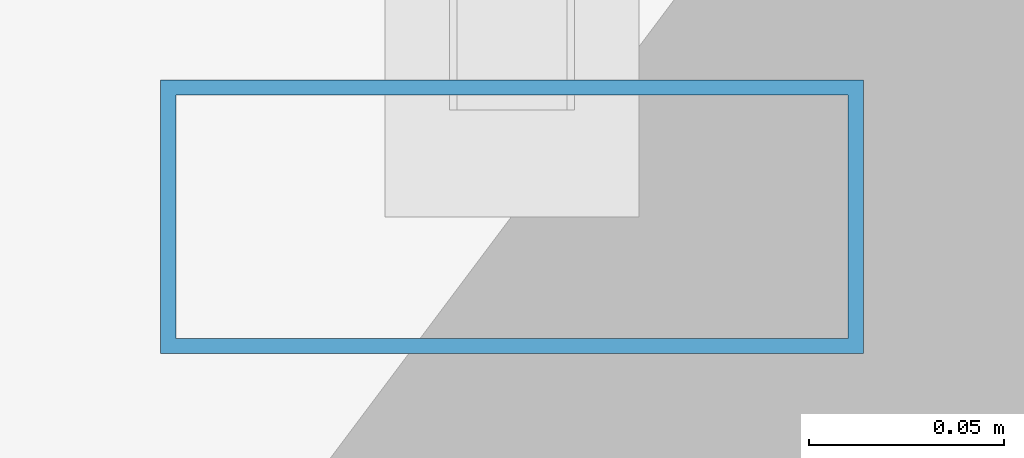
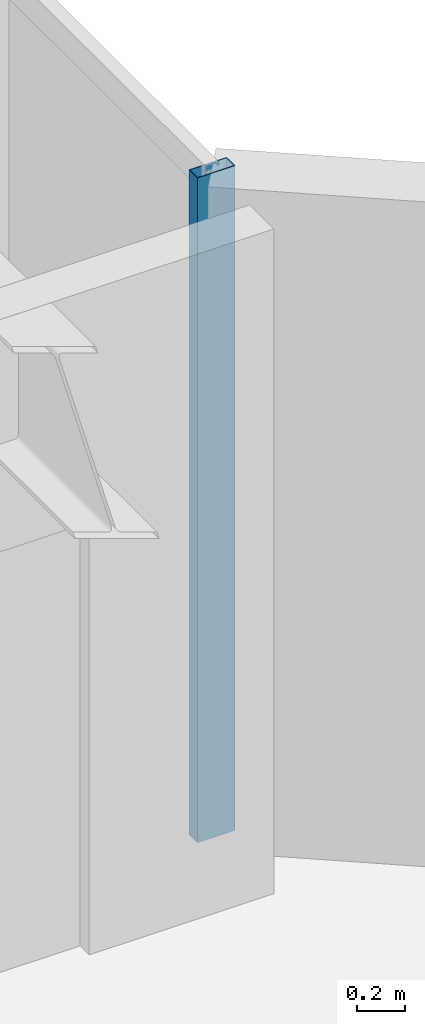
# One storey, part 15 of 26: 1 member, 1 element without a shape of its own.
"""IFC4 building model written with IfcOpenShell, lengths in metres."""

import ifcopenshell
import ifcopenshell.guid

model = None  # the IFC model being written
_history = None  # IfcOwnerHistory: only IFC2X3 demands one
_inside = {}  # id of a spatial element -> (the spatial element, [elements in it])
_under = {}  # id of a project, library or spatial element -> (it, [spatial elements below it])
_declared = {}  # id of a project -> (the project, [libraries it declares])
_typed = {}  # id of a type object -> (the type object, [elements of that type])
_made_of = {}  # id of a material, layer set ... -> (it, [elements and type objects made of it])


def new_model(schema):
    """Start an empty IFC model of exactly this schema.

    Asked for "IFC4X3", IfcOpenShell would pick the latest addendum, in which some entities
    have other attributes; the version numbers below select the first issue.
    IFC2X3 requires an IfcOwnerHistory on every rooted entity: one is made here for all.
    """
    global model, _history
    if schema == "IFC4X3":
        model = ifcopenshell.file(schema_version=(4, 3, 0, 0))
    else:
        model = ifcopenshell.file(schema=schema)
    _inside.clear()
    _under.clear()
    _declared.clear()
    _typed.clear()
    _made_of.clear()
    _history = None
    if model.schema == "IFC2X3":
        org = make("IfcOrganization", Name="unknown")
        user = make(
            "IfcPersonAndOrganization",
            ThePerson=make("IfcPerson", FamilyName="unknown"),
            TheOrganization=org,
        )
        app = make(
            "IfcApplication",
            ApplicationDeveloper=org,
            Version="unknown",
            ApplicationFullName="unknown",
            ApplicationIdentifier="unknown",
        )
        _history = make(
            "IfcOwnerHistory",
            OwningUser=user,
            OwningApplication=app,
            ChangeAction="ADDED",
            CreationDate=0,
        )
    return model


def make(cls, **values):
    """One entity of the class cls with the attributes given. An attribute that is None is left unset."""
    return model.create_entity(
        cls, **{name: value for name, value in values.items() if value is not None}
    )


def rooted(cls, **values):
    """An entity with a GlobalId (a new one), such as an element, a storey or a relation."""
    return make(cls, GlobalId=ifcopenshell.guid.new(), OwnerHistory=_history, **values)


def si_unit(unit_type, name, prefix=None):
    """IfcSIUnit, for example si_unit("LENGTHUNIT", "METRE", prefix="MILLI")."""
    return make("IfcSIUnit", UnitType=unit_type, Prefix=prefix, Name=name)


def assignment(units):
    """IfcUnitAssignment: the units of a project."""
    return None if units is None else make("IfcUnitAssignment", Units=units)


def point(xyz):
    """IfcCartesianPoint."""
    return None if xyz is None else make("IfcCartesianPoint", Coordinates=xyz)


def direction(xyz):
    """IfcDirection."""
    return None if xyz is None else make("IfcDirection", DirectionRatios=xyz)


def frame(location, z_axis=None, x_axis=None):
    """IfcAxis2Placement3D, a coordinate frame: its origin and axes. An axis left out is left unset."""
    return make(
        "IfcAxis2Placement3D",
        Location=point(location),
        Axis=direction(z_axis),
        RefDirection=direction(x_axis),
    )


def frame_2d(location, x_axis=None):
    """IfcAxis2Placement2D, a coordinate frame in the plane: its origin and x axis."""
    return make(
        "IfcAxis2Placement2D", Location=point(location), RefDirection=direction(x_axis)
    )


def origin():
    """The frame at (0, 0, 0) with its axes left unset."""
    return frame((0.0, 0.0, 0.0))


def origin_2d():
    """The frame at (0, 0) in the plane with its x axis left unset."""
    return frame_2d((0.0, 0.0))


def place(relative_to, where):
    """IfcLocalPlacement: puts the frame where relative to a parent placement (None: the world)."""
    return make(
        "IfcLocalPlacement", PlacementRelTo=relative_to, RelativePlacement=where
    )


def context(
    kind, dimensions, precision=None, world=None, true_north=None, identifier=None
):
    """IfcGeometricRepresentationContext, for example the 3D "Model" context."""
    return make(
        "IfcGeometricRepresentationContext",
        ContextIdentifier=identifier,
        ContextType=kind,
        CoordinateSpaceDimension=dimensions,
        Precision=precision,
        WorldCoordinateSystem=world,
        TrueNorth=true_north,
    )


def subcontext(parent, identifier, kind, view, scale=None):
    """IfcGeometricRepresentationSubContext, for example "Body" below "Model"."""
    return make(
        "IfcGeometricRepresentationSubContext",
        ContextIdentifier=identifier,
        ContextType=kind,
        ParentContext=parent,
        TargetScale=scale,
        TargetView=view,
    )


def project(units=None, contexts=None):
    """IfcProject with its units and contexts."""
    return rooted(
        "IfcProject",
        Name="project",
        RepresentationContexts=contexts,
        UnitsInContext=assignment(units),
    )


def spatial(cls, under=None, at=None, **own):
    """A site, building, storey or space (cls), placed at a placement, below another one or the project."""
    s = rooted(cls, ObjectPlacement=at, **own)
    if under is not None:
        _under.setdefault(under.id(), (under, []))[1].append(s)
    return s


def profile(cls, at=None, kind="AREA", **sizes):
    """A parametric profile (cls). Its sizes go by their IFC names, for example OverallWidth=200.0."""
    return make(cls, ProfileType=kind, Position=at, **sizes)


def hollow_rectangle(**sizes):
    """IfcRectangleHollowProfileDef."""
    return profile("IfcRectangleHollowProfileDef", **sizes)


def extrude(swept, where, along, depth):
    """IfcExtrudedAreaSolid: the profile swept, set in the frame where, extruded along a direction by depth."""
    return make(
        "IfcExtrudedAreaSolid",
        SweptArea=swept,
        Position=where,
        ExtrudedDirection=direction(along),
        Depth=depth,
    )


def shape(context_of_items, identifier, shape_type, items):
    """IfcShapeRepresentation: the items that make up one representation, for example the "Body"."""
    return make(
        "IfcShapeRepresentation",
        ContextOfItems=context_of_items,
        RepresentationIdentifier=identifier,
        RepresentationType=shape_type,
        Items=items,
    )


def material(Name=None, Category=None):
    """IfcMaterial."""
    return make("IfcMaterial", Name=Name, Category=Category)


def layer(
    of_material, thickness, ventilated=None, Name=None, Category=None, Priority=None
):
    """IfcMaterialLayer: one layer of a wall or slab, of a material (None: an air gap)."""
    return make(
        "IfcMaterialLayer",
        Material=of_material,
        LayerThickness=thickness,
        IsVentilated=ventilated,
        Name=Name,
        Category=Category,
        Priority=Priority,
    )


def layer_set(layers, Name=None):
    """IfcMaterialLayerSet."""
    return make("IfcMaterialLayerSet", MaterialLayers=layers, LayerSetName=Name)


def material_profile(
    of_material, cross_section, Name=None, Category=None, Priority=None
):
    """IfcMaterialProfile: a cross section and its material."""
    return make(
        "IfcMaterialProfile",
        Name=Name,
        Material=of_material,
        Profile=cross_section,
        Priority=Priority,
        Category=Category,
    )


def profile_set(profiles, Name=None, composite=None):
    """IfcMaterialProfileSet."""
    return make(
        "IfcMaterialProfileSet",
        Name=Name,
        MaterialProfiles=profiles,
        CompositeProfile=composite,
    )


def made_of(thing, what):
    """Note that an element or type object is made of a material, layer set ...; save() writes the relation."""
    if what is not None:
        _made_of.setdefault(what.id(), (what, []))[1].append(thing)
    return thing


def type_object(cls, material=None, **own):
    """A type object (cls), such as IfcWallType, which elements share."""
    return made_of(rooted(cls, **own), material)


def element(
    cls,
    number,
    at=None,
    inside=None,
    cuts=None,
    type_object=None,
    material=None,
    context=None,
    identifier="Body",
    shape_type=None,
    held_by="IfcProductDefinitionShape",
    body=None,
    shapes=None,
    **own,
):
    """One element of the class cls, such as IfcWall. Its Tag is "e" and its number.

    at: its placement. inside: the storey or other place that contains it. cuts: it is an
    opening in that element (IfcRelVoidsElement). A single representation is given by context,
    identifier, shape_type and body (its items); several are given by shapes. held_by: the class
    of the entity that holds the representations. save() writes the other relations.
    """
    e = rooted(cls, Tag="e%d" % number, ObjectPlacement=at, **own)
    if body is not None:
        shapes = [shape(context, identifier, shape_type, body)]
    if shapes is not None:
        e.Representation = make(held_by, Representations=shapes)
    if inside is not None:
        _inside.setdefault(inside.id(), (inside, []))[1].append(e)
    if cuts is not None:
        rooted(
            "IfcRelVoidsElement", RelatingBuildingElement=cuts, RelatedOpeningElement=e
        )
    if type_object is not None:
        _typed.setdefault(type_object.id(), (type_object, []))[1].append(e)
    return made_of(e, material)


def aggregate(whole, parts):
    """IfcRelAggregates: a whole, such as a stair, and the parts it consists of."""
    return rooted("IfcRelAggregates", RelatingObject=whole, RelatedObjects=parts)


def save(model, path):
    """Write the relations noted so far, then the file.

    IfcRelAggregates (storeys below a building ...), IfcRelContainedInSpatialStructure (elements
    in a storey), IfcRelDefinesByType, IfcRelAssociatesMaterial and IfcRelDeclares: one each for
    every whole, place, type object, material and project.
    """
    for whole, parts in _under.values():
        aggregate(whole, parts)
    for where, things in _inside.values():
        rooted(
            "IfcRelContainedInSpatialStructure",
            RelatedElements=things,
            RelatingStructure=where,
        )
    for kind, things in _typed.values():
        rooted("IfcRelDefinesByType", RelatedObjects=things, RelatingType=kind)
    for what, things in _made_of.values():
        rooted("IfcRelAssociatesMaterial", RelatedObjects=things, RelatingMaterial=what)
    for by, libraries in _declared.values():
        rooted("IfcRelDeclares", RelatingContext=by, RelatedDefinitions=libraries)
    model.write(path)


model = new_model("IFC4")

# Units and contexts
model_context = context("Model", 3, precision=1e-05, world=origin(), true_north=direction((0.0, 1.0)))
body_context = subcontext(model_context, "Body", "Model", "MODEL_VIEW")
ifc_project = project(units=[si_unit("LENGTHUNIT", "METRE"), si_unit("AREAUNIT", "SQUARE_METRE"), si_unit("VOLUMEUNIT", "CUBIC_METRE"), si_unit("PLANEANGLEUNIT", "RADIAN"), si_unit("MASSUNIT", "GRAM", prefix="KILO")], contexts=[model_context])

# Site, building, storey
site_placement = place(None, origin())
site = spatial("IfcSite", under=ifc_project, at=site_placement, CompositionType="ELEMENT")
building_placement = place(site_placement, origin())
building = spatial("IfcBuilding", under=site, at=building_placement, Name="Hatsunagi Terrace Concourse", CompositionType="ELEMENT")
storey_placement = place(building_placement, frame((0.0, 0.0, 134.85009765625)))
storey = spatial("IfcBuildingStorey", under=building, at=storey_placement, Name="L35", CompositionType="ELEMENT", Elevation=134.85009765625)

# Curtain wall, member
ifc_material_1 = material(Name="Anodised Aluminium Alloy 6063-T5", Category="aluminium")
ifc_layer = layer(ifc_material_1, 0.199951171875)
ifc_layer_set = layer_set([ifc_layer], Name="OfficeZone1_CW03")
curtain_wall_type = type_object("IfcCurtainWallType", Name="OfficeZone1_CW03", PredefinedType="NOTDEFINED", material=ifc_layer_set)
curtain_wall_placement = place(storey_placement, origin())
curtain_wall = element("IfcCurtainWall", 1, at=curtain_wall_placement, inside=storey, type_object=curtain_wall_type, Name="Unitised Curtain Wall CW-03 CW-L35-13", PredefinedType="NOTDEFINED")
ifc_material_2 = material(Name="Anodised Aluminium Alloy 6063-T5", Category="aluminium")
ifc_material_profile = material_profile(ifc_material_2, hollow_rectangle(XDim=0.070068359375, YDim=0.179931640625, WallThickness=0.00390625, at=origin_2d()), Name="ALU-MUL-180x70x4")
ifc_profile_set = profile_set([ifc_material_profile], Name="Anodised Aluminium Alloy 6063-T5")
member_type = type_object("IfcMemberType", Name="CurtainWallMullion_180x70", PredefinedType="MULLION", material=ifc_profile_set)
member_placement = place(storey_placement, frame((44.860107421875, 40.72998046875, 0.0), z_axis=(0.0, 0.0, 1.0), x_axis=(0.0, -1.0, 0.0)))
member = element("IfcMember", 2, at=member_placement, type_object=member_type, Name="Curtain Wall Mullion MUL-02", PredefinedType="MULLION", context=body_context, shape_type="SweptSolid", body=[
    extrude(hollow_rectangle(XDim=0.070068359375, YDim=0.179931640625, WallThickness=0.00390625, at=origin_2d()), origin(), (0.0, 0.0, 1.0), 3.349853515625),
])
aggregate(curtain_wall, [member])

save(model, "model.ifc")
